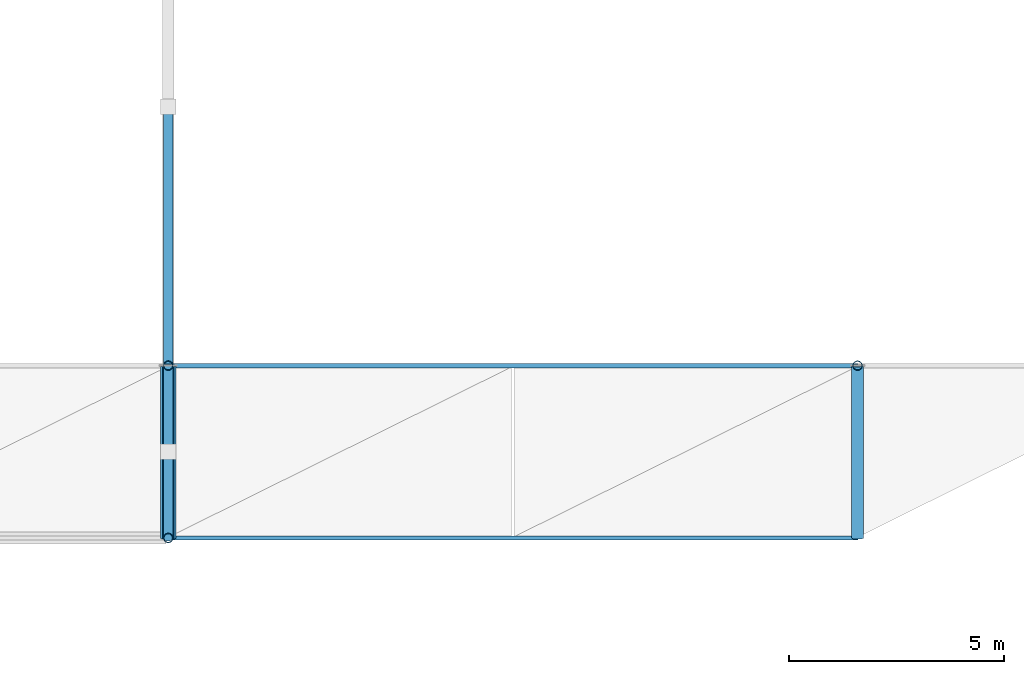
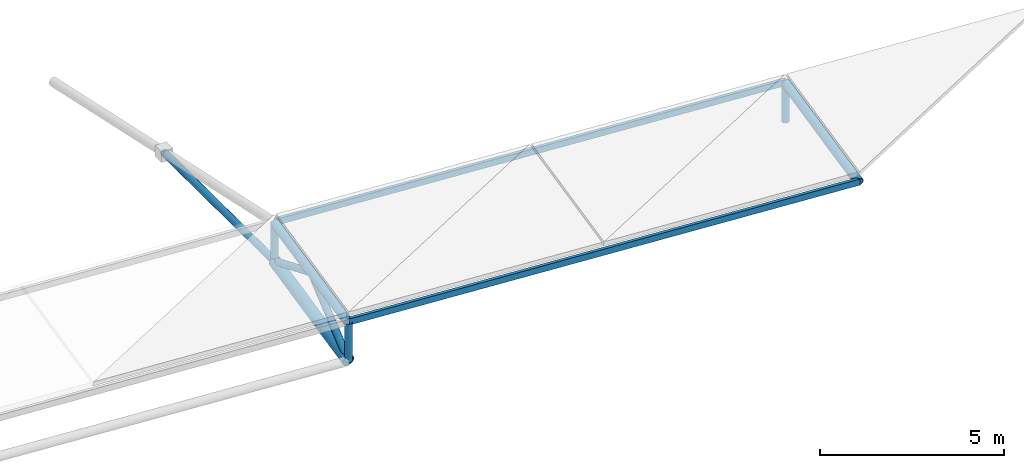
# One storey, part 13 of 27: 10 members, 1 beam.
"""IFC4 building model written with IfcOpenShell, lengths in metres."""

from ifc_helpers import new_model, si_unit, direction, frame, origin, origin_2d, place, context, subcontext, project, spatial, hollow_rectangle, hollow_circle, extrude, material, material_profile, profile_set, type_object, element, save


model = new_model("IFC4")

# Units and contexts
model_context = context("Model", 3, precision=1e-05, world=origin(), true_north=direction((0.0, 1.0)))
body_context = subcontext(model_context, "Body", "Model", "MODEL_VIEW")
ifc_project = project(units=[si_unit("LENGTHUNIT", "METRE"), si_unit("AREAUNIT", "SQUARE_METRE"), si_unit("VOLUMEUNIT", "CUBIC_METRE"), si_unit("PLANEANGLEUNIT", "RADIAN"), si_unit("MASSUNIT", "GRAM", prefix="KILO")], contexts=[model_context])

# Site, building, storey
site_placement = place(None, origin())
site = spatial("IfcSite", under=ifc_project, at=site_placement, CompositionType="ELEMENT")
building_placement = place(site_placement, origin())
building = spatial("IfcBuilding", under=site, at=building_placement, Name="Drelvath Fold Interchange", CompositionType="ELEMENT")
storey_placement = place(building_placement, frame((0.0, 0.0, 19.800048828125)))
storey = spatial("IfcBuildingStorey", under=building, at=storey_placement, Name="L04", CompositionType="ELEMENT", Elevation=19.800048828125)

# Members
ifc_material = material(Name="Steel ASTM A500 Grade C", Category="steel")
ifc_material_profile_1 = material_profile(ifc_material, hollow_rectangle(XDim=0.10205078125, YDim=0.202880859375, WallThickness=0.00732421875, at=origin_2d()), Name="HSS8X4X5/16")
ifc_profile_set_1 = profile_set([ifc_material_profile_1], Name="Steel ASTM A500 Grade C")
member_type_1 = type_object("IfcMemberType", Name="PR-HSS203", PredefinedType="PURLIN", material=ifc_profile_set_1)
for number, where, z_axis, x_axis, name in (
    (1, (134.0, 43.0, 0.764892578125), (0.998194047838, 0.0, -0.060071980662), (0.0, 1.0, 0.0), "L04 Space frame canopy purlin PR-HSS203"),
    (2, (134.0, 47.0, 1.636962890625), (0.998194047838, 0.0, -0.060071980662), (0.0, 1.0, 0.0), "L04 Space frame canopy purlin PR-HSS203"),
):
    element("IfcMember", number, at=place(storey_placement, frame(where, z_axis=z_axis, x_axis=x_axis)), inside=storey, type_object=member_type_1, Name=name, PredefinedType="PURLIN", context=body_context, shape_type="SweptSolid", body=[
        extrude(hollow_rectangle(XDim=0.10205078125, YDim=0.202880859375, WallThickness=0.00732421875, at=origin_2d()), origin(), (0.0, 0.0, 1.0), 16.029052734375),
    ])
ifc_material_profile_2 = material_profile(ifc_material, hollow_circle(Radius=0.136474609375, WallThickness=0.01171875, at=origin_2d()), Name="HSS10.750X0.500")
ifc_profile_set_2 = profile_set([ifc_material_profile_2], Name="Steel ASTM A500 Grade C")
member_type_2 = type_object("IfcMemberType", Name="SF-CHD273", PredefinedType="CHORD", material=ifc_profile_set_2)
for number, where, z_axis, x_axis, name in (
    (3, (134.0, 43.0, 0.73291015625), (0.0, 0.97704917023, 0.213013893803), (-1.0, 0.0, 0.0), "L04 Space frame roof truss upper chord SF-CHD273"),
    (4, (150.0, 43.0, -0.22998046875), (0.0, 0.977061580131, 0.212956964273), (-1.0, 0.0, 0.0), "L04 Space frame roof truss upper chord SF-CHD273"),
):
    element("IfcMember", number, at=place(storey_placement, frame(where, z_axis=z_axis, x_axis=x_axis)), inside=storey, type_object=member_type_2, Name=name, PredefinedType="CHORD", context=body_context, shape_type="SweptSolid", body=[
        extrude(hollow_circle(Radius=0.136474609375, WallThickness=0.01171875, at=origin_2d()), origin(), (0.0, 0.0, 1.0), 4.093994140625),
    ])

# Beam
ifc_material_profile_3 = material_profile(ifc_material, hollow_circle(Radius=0.177978515625, WallThickness=0.01171875, at=origin_2d()), Name="HSS14.000X0.500")
ifc_profile_set_3 = profile_set([ifc_material_profile_3], Name="Steel ASTM A500 Grade C")
beam_type = type_object("IfcBeamType", Name="SF-RIB356", PredefinedType="BEAM", material=ifc_profile_set_3)
beam_placement = place(storey_placement, frame((134.0, 43.0, -0.537109375), z_axis=(0.0, 0.97704917023, 0.213013893803), x_axis=(-1.0, 0.0, 0.0)))
element("IfcBeam", 5, at=beam_placement, inside=storey, type_object=beam_type, Name="Space frame roof truss main rib chord EAST", PredefinedType="BEAM", context=body_context, shape_type="SweptSolid", body=[
    extrude(hollow_circle(Radius=0.177978515625, WallThickness=0.01171875, at=origin_2d()), origin(), (0.0, 0.0, 1.0), 4.093994140625),
])

# Members
ifc_material_profile_4 = material_profile(ifc_material, hollow_circle(Radius=0.109619140625, WallThickness=0.0087890625, at=origin_2d()), Name="HSS8.625X0.375")
ifc_profile_set_4 = profile_set([ifc_material_profile_4], Name="Steel ASTM A500 Grade C")
member_type_3 = type_object("IfcMemberType", Name="SF-WEB219", PredefinedType="BRACE", material=ifc_profile_set_4)
member_1_placement = place(storey_placement, frame((134.0, 43.0, -0.537109375), z_axis=(0.0, 0.760801583253, 0.648984553683), x_axis=(-1.0, 0.0, 0.0)))
element("IfcMember", 6, at=member_1_placement, inside=storey, type_object=member_type_3, Name="L04 Space frame roof truss web brace SF-WEB219", PredefinedType="BRACE", context=body_context, shape_type="SweptSolid", body=[
    extrude(hollow_circle(Radius=0.109619140625, WallThickness=0.0087890625, at=origin_2d()), origin(), (0.0, 0.0, 1.0), 2.62890625),
])
member_2_placement = place(storey_placement, frame((134.0, 45.0, 1.1689453125), z_axis=(0.0, 0.922970220346, -0.38487137118), x_axis=(-1.0, 0.0, 0.0)))
element("IfcMember", 7, at=member_2_placement, inside=storey, type_object=member_type_3, Name="L04 Space frame roof truss web brace SF-WEB219", PredefinedType="BRACE", context=body_context, shape_type="SweptSolid", body=[
    extrude(hollow_circle(Radius=0.109619140625, WallThickness=0.0087890625, at=origin_2d()), origin(), (0.0, 0.0, 1.0), 2.1669921875),
])
member_3_placement = place(storey_placement, frame((134.0, 47.0, 0.3349609375), z_axis=(0.0, 0.999979854239, -0.006347528372), x_axis=(-1.0, 0.0, 0.0)))
element("IfcMember", 8, at=member_3_placement, inside=storey, type_object=member_type_3, Name="L04 Space frame roof truss web brace SF-WEB219", PredefinedType="BRACE", context=body_context, shape_type="SweptSolid", body=[
    extrude(hollow_circle(Radius=0.109619140625, WallThickness=0.0087890625, at=origin_2d()), origin(), (0.0, 0.0, 1.0), 6.0),
])
for number, where, z_axis, x_axis, name in (
    (9, (134.0, 43.0, -0.537109375), (0.0, 0.0, 1.0), (1.0, 0.0, 0.0), "L04 Space frame roof truss web brace SF-WEB219"),
    (10, (134.0, 47.0, 0.3349609375), (0.0, 0.0, 1.0), (1.0, 0.0, 0.0), "L04 Space frame roof truss web brace SF-WEB219"),
):
    element("IfcMember", number, at=place(storey_placement, frame(where, z_axis=z_axis, x_axis=x_axis)), inside=storey, type_object=member_type_3, Name=name, PredefinedType="BRACE", context=body_context, shape_type="SweptSolid", body=[
        extrude(hollow_circle(Radius=0.109619140625, WallThickness=0.0087890625, at=origin_2d()), origin(), (0.0, 0.0, 1.0), 1.27001953125),
    ])
member_4_placement = place(storey_placement, frame((150.0, 47.0, -0.6279296875), z_axis=(0.0, 0.0, 1.0), x_axis=(1.0, 0.0, 0.0)))
element("IfcMember", 11, at=member_4_placement, inside=storey, type_object=member_type_3, Name="L04 Space frame roof truss web brace SF-WEB219", PredefinedType="BRACE", context=body_context, shape_type="SweptSolid", body=[
    extrude(hollow_circle(Radius=0.109619140625, WallThickness=0.0087890625, at=origin_2d()), origin(), (0.0, 0.0, 1.0), 1.269775390625),
])

save(model, "model.ifc")
